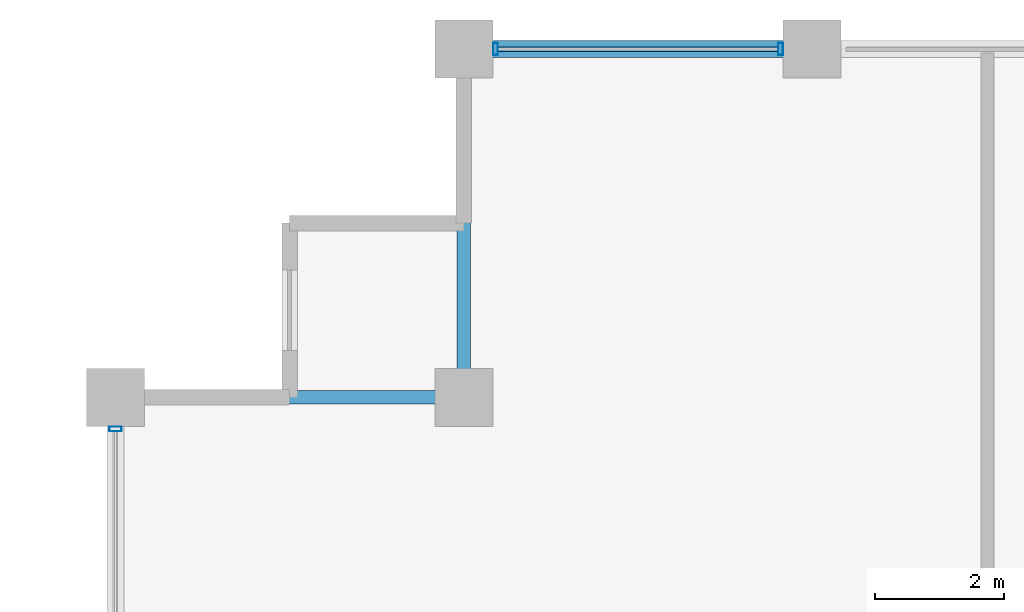
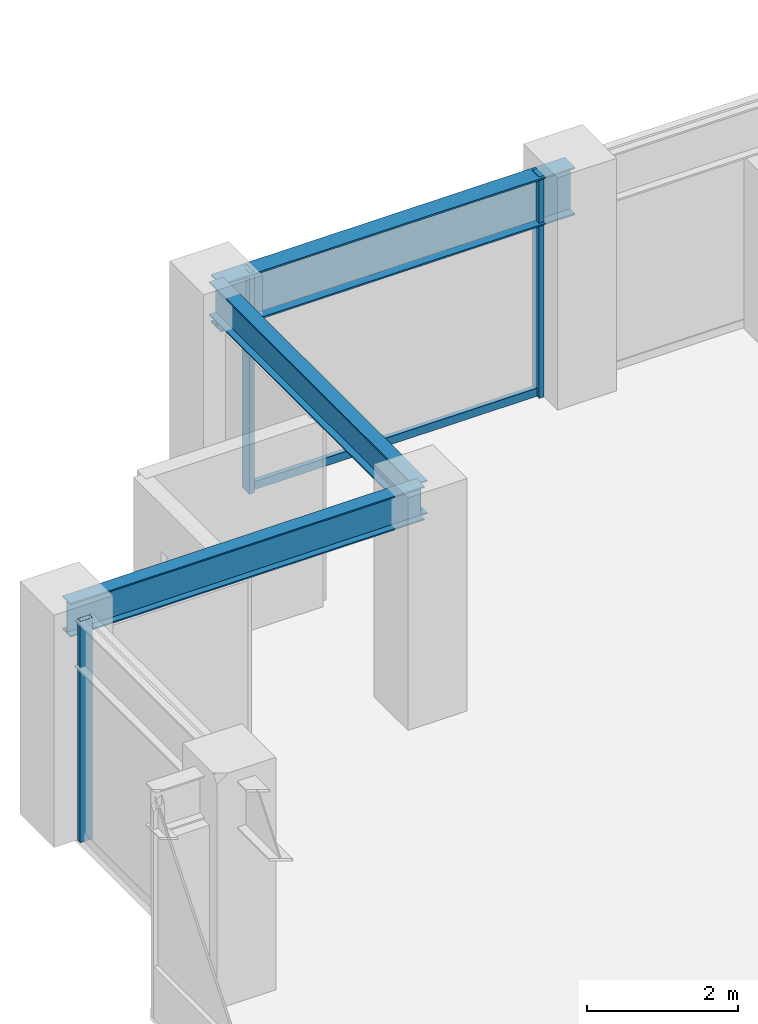
# One storey, part 18 of 32: 4 members, 3 beams, 2 elements without a shape of their own.
"""IFC4 building model written with IfcOpenShell, lengths in metres."""

from ifc_helpers import new_model, si_unit, direction, frame, origin, origin_2d, place, context, subcontext, project, spatial, hollow_rectangle, i_section, extrude, material, layer, layer_set, material_profile, profile_set, type_object, element, aggregate, save


model = new_model("IFC4")

# Units and contexts
model_context = context("Model", 3, precision=1e-05, world=origin(), true_north=direction((0.0, 1.0)))
body_context = subcontext(model_context, "Body", "Model", "MODEL_VIEW")
ifc_project = project(units=[si_unit("LENGTHUNIT", "METRE"), si_unit("AREAUNIT", "SQUARE_METRE"), si_unit("VOLUMEUNIT", "CUBIC_METRE"), si_unit("PLANEANGLEUNIT", "RADIAN"), si_unit("MASSUNIT", "GRAM", prefix="KILO")], contexts=[model_context])

# Site, building, storey
site_placement = place(None, origin())
site = spatial("IfcSite", under=ifc_project, at=site_placement, CompositionType="ELEMENT")
building_placement = place(site_placement, origin())
building = spatial("IfcBuilding", under=site, at=building_placement, Name="Surkhivell Harbour Commons", CompositionType="ELEMENT")
storey_placement = place(building_placement, frame((0.0, 0.0, 189.75)))
storey = spatial("IfcBuildingStorey", under=building, at=storey_placement, Name="L49", CompositionType="ELEMENT", Elevation=189.75)

# Beams
ifc_material_1 = material(Name="Steel S355", Category="steel")
ifc_material_profile_1 = material_profile(ifc_material_1, i_section(OverallWidth=0.2119140625, OverallDepth=0.5439453125, WebThickness=0.0126953125, FlangeThickness=0.021240234375, at=origin_2d()), Name="UB533x210x122")
ifc_profile_set_1 = profile_set([ifc_material_profile_1], Name="Steel S355")
beam_type_1 = type_object("IfcBeamType", Name="BM-GRD-533A", PredefinedType="BEAM", material=ifc_profile_set_1)
for number, where, z_axis, x_axis, name in (
    (1, (-27.0, 20.5, 3.298095703125), (1.0, 0.0, 0.0), (0.0, 1.0, 0.0), "L49 Floor Girder (-27.0,20.5)"),
    (2, (-21.60009765625, 20.5, 3.298095703125), (0.0, 1.0, 0.0), (-1.0, 0.0, 0.0), "L49 Floor Girder (-21.6,20.5)"),
):
    element("IfcBeam", number, at=place(storey_placement, frame(where, z_axis=z_axis, x_axis=x_axis)), inside=storey, type_object=beam_type_1, Name=name, PredefinedType="BEAM", context=body_context, shape_type="SweptSolid", body=[
        extrude(i_section(OverallWidth=0.2119140625, OverallDepth=0.5439453125, WebThickness=0.0126953125, FlangeThickness=0.021240234375, at=origin_2d()), origin(), (0.0, 0.0, 1.0), 5.39990234375),
    ])
ifc_material_profile_2 = material_profile(ifc_material_1, i_section(OverallWidth=0.26806640625, OverallDepth=0.77001953125, WebThickness=0.015625, FlangeThickness=0.025390625, at=origin_2d()), Name="UB762x267x197")
ifc_profile_set_2 = profile_set([ifc_material_profile_2], Name="Steel S355")
beam_type_2 = type_object("IfcBeamType", Name="BM-SPN-762", PredefinedType="SPANDREL", material=ifc_profile_set_2)
beam_placement = place(storey_placement, frame((-21.60009765625, 25.89990234375, 3.18505859375), z_axis=(1.0, 0.0, 0.0), x_axis=(0.0, 1.0, 0.0)))
element("IfcBeam", 3, at=beam_placement, inside=storey, type_object=beam_type_2, Name="L49 Tube Spandrel (-21.6,25.9)", PredefinedType="SPANDREL", context=body_context, shape_type="SweptSolid", body=[
    extrude(i_section(OverallWidth=0.26806640625, OverallDepth=0.77001953125, WebThickness=0.015625, FlangeThickness=0.025390625, at=origin_2d()), origin(), (0.0, 0.0, 1.0), 5.400146484375),
])

# Curtain wall, members
ifc_material_2 = material(Name="Anodised pale-metal aluminium and insulated glazing", Category="aluminium")
ifc_layer = layer(ifc_material_2, 0.18994140625)
ifc_layer_set = layer_set([ifc_layer], Name="Anodised pale-metal aluminium and insulated glazing")
curtain_wall_type = type_object("IfcCurtainWallType", Name="CW-SYS-Z3", PredefinedType="NOTDEFINED", material=ifc_layer_set)
curtain_wall_1_placement = place(storey_placement, origin())
curtain_wall_1 = element("IfcCurtainWall", 4, at=curtain_wall_1_placement, inside=storey, type_object=curtain_wall_type, Name="L49 Curtain Wall CW-L49-E07S2", PredefinedType="NOTDEFINED")
ifc_material_3 = material(Name="Anodised pale-metal aluminium alloy 6063-T6", Category="aluminium")
ifc_material_profile_3 = material_profile(ifc_material_3, hollow_rectangle(XDim=0.074951171875, YDim=0.18994140625, WallThickness=0.00390625, at=origin_2d()), Name="ALU-MULL-75x190")
ifc_profile_set_3 = profile_set([ifc_material_profile_3], Name="Anodised pale-metal aluminium alloy 6063-T6")
member_type_1 = type_object("IfcMemberType", Name="CWM-190", PredefinedType="MULLION", material=ifc_profile_set_3)
member_1_placement = place(storey_placement, frame((-16.689453125, 25.89990234375, 0.0), z_axis=(0.0, 0.0, 1.0), x_axis=(-1.0, 0.0, 0.0)))
member_1 = element("IfcMember", 5, at=member_1_placement, type_object=member_type_1, Name="CW-Z3 mullion 3", PredefinedType="MULLION", context=body_context, shape_type="SweptSolid", body=[
    extrude(hollow_rectangle(XDim=0.074951171875, YDim=0.18994140625, WallThickness=0.00390625, at=origin_2d()), origin(), (0.0, 0.0, 1.0), 3.570068359375),
])
member_2_placement = place(storey_placement, frame((-21.110595703125, 25.89990234375, 0.0), z_axis=(0.0, 0.0, 1.0), x_axis=(-1.0, 0.0, 0.0)))
member_2 = element("IfcMember", 6, at=member_2_placement, type_object=member_type_1, Name="CW-Z3 mullion 4", PredefinedType="MULLION", context=body_context, shape_type="SweptSolid", body=[
    extrude(hollow_rectangle(XDim=0.074951171875, YDim=0.18994140625, WallThickness=0.00390625, at=origin_2d()), origin(), (0.0, 0.0, 1.0), 3.570068359375),
])

# Curtain wall, member
curtain_wall_2_placement = place(storey_placement, origin())
curtain_wall_2 = element("IfcCurtainWall", 7, at=curtain_wall_2_placement, inside=storey, type_object=curtain_wall_type, Name="L49 Curtain Wall CW-L49-E12R2", PredefinedType="NOTDEFINED")
member_3_placement = place(storey_placement, frame((-27.0, 20.010498046875, 0.0), z_axis=(0.0, 0.0, 1.0), x_axis=(0.0, 1.0, 0.0)))
member_3 = element("IfcMember", 8, at=member_3_placement, type_object=member_type_1, Name="CW-Z3 mullion 2", PredefinedType="MULLION", context=body_context, shape_type="SweptSolid", body=[
    extrude(hollow_rectangle(XDim=0.074951171875, YDim=0.18994140625, WallThickness=0.00390625, at=origin_2d()), origin(), (0.0, 0.0, 1.0), 3.570068359375),
])
aggregate(curtain_wall_2, [member_3])

# Member
ifc_material_4 = material(Name="Champagne anodised aluminium alloy 6063-T6", Category="aluminium")
ifc_material_profile_4 = material_profile(ifc_material_4, hollow_rectangle(XDim=0.070068359375, YDim=0.1298828125, WallThickness=0.00341796875, at=origin_2d()), Name="ALU-TRAN-70x130")
ifc_profile_set_4 = profile_set([ifc_material_profile_4], Name="Champagne anodised aluminium alloy 6063-T6")
member_type_2 = type_object("IfcMemberType", Name="CWT-130", PredefinedType="USERDEFINED", material=ifc_profile_set_4)
member_4_placement = place(storey_placement, frame((-16.72705078125, 25.89990234375, 0.06494140625), z_axis=(-1.0, 0.0, 0.0), x_axis=(0.0, -1.0, 0.0)))
member_4 = element("IfcMember", 9, at=member_4_placement, type_object=member_type_2, Name="CW-Z3 transom 3.1", ObjectType="TRANSOM", PredefinedType="USERDEFINED", context=body_context, shape_type="SweptSolid", body=[
    extrude(hollow_rectangle(XDim=0.070068359375, YDim=0.1298828125, WallThickness=0.00341796875, at=origin_2d()), origin(), (0.0, 0.0, 1.0), 4.345947265625),
])

aggregate(curtain_wall_1, [member_1, member_2, member_4])

save(model, "model.ifc")
